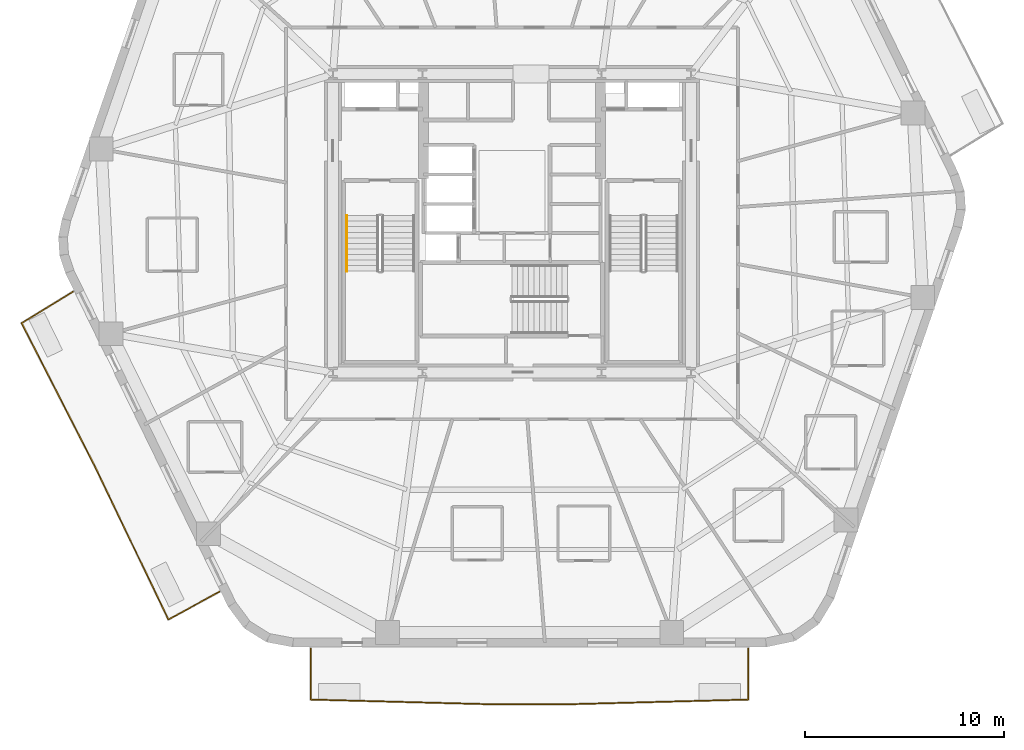
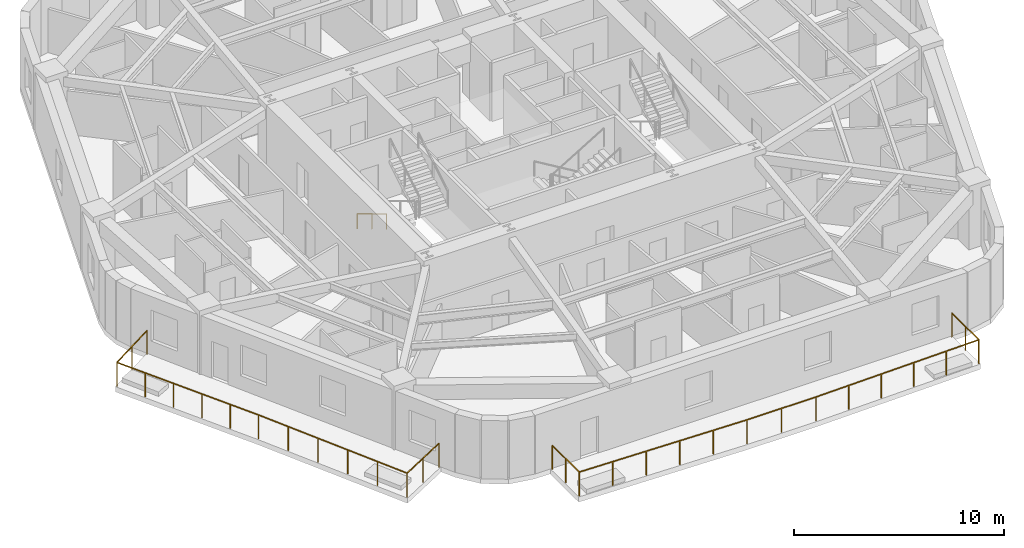
# One storey, part 8 of 10: 3 railings.
"""IFC4 building model written with IfcOpenShell, lengths in metres."""

from ifc_helpers import new_model, si_unit, direction, frame, origin, origin_2d, place, context, subcontext, project, spatial, rectangle, extrude, material, layer, layer_set, type_object, element, save


model = new_model("IFC4")

# Units and contexts
model_context = context("Model", 3, precision=1e-05, world=origin(), true_north=direction((0.0, 1.0)))
body_context = subcontext(model_context, "Body", "Model", "MODEL_VIEW")
ifc_project = project(units=[si_unit("LENGTHUNIT", "METRE"), si_unit("AREAUNIT", "SQUARE_METRE"), si_unit("VOLUMEUNIT", "CUBIC_METRE"), si_unit("PLANEANGLEUNIT", "RADIAN"), si_unit("MASSUNIT", "GRAM", prefix="KILO")], contexts=[model_context])

# Site, building, storey
site_placement = place(None, origin())
site = spatial("IfcSite", under=ifc_project, at=site_placement, CompositionType="ELEMENT")
building_placement = place(site_placement, origin())
building = spatial("IfcBuilding", under=site, at=building_placement, Name="Kilnhurst Terrace Hotel", CompositionType="ELEMENT")
storey_placement = place(building_placement, frame((0.0, 0.0, 91.39990234375)))
storey = spatial("IfcBuildingStorey", under=building, at=storey_placement, Name="L21", CompositionType="ELEMENT", Elevation=91.39990234375)

# Railings
ifc_material_1 = material(Name="Laminated SentryGlas and Stainless Steel AISI 316L Balustrade", Category="steel")
ifc_layer_1 = layer(ifc_material_1, 0.070068359375, Name="Laminated SentryGlas and Stainless Steel AISI 316L Balustrade")
ifc_layer_set_1 = layer_set([ifc_layer_1], Name="Laminated SentryGlas and Stainless Steel AISI 316L Balustrade")
railing_type_1 = type_object("IfcRailingType", Name="RLG-BAL-1420", PredefinedType="BALUSTRADE", material=ifc_layer_set_1)
railing_1_placement = place(storey_placement, frame((-14.722900390625, -18.529541015625, 0.0)))
element("IfcRailing", 1, at=railing_1_placement, inside=storey, type_object=railing_type_1, Name="L21 Exterior Terrace Guardrail BAL-L2A.1", PredefinedType="BALUSTRADE", context=body_context, shape_type="SweptSolid", body=[
    extrude(rectangle(XDim=0.048095703125, YDim=0.048095703125, at=origin_2d()), frame((0.0, 0.0, 1.39599609375), z_axis=(-0.878553207741, -0.477644492451, 0.0), x_axis=(0.477644492451, -0.878553207741, 0.0)), (0.0, 0.0, 1.0), 2.90478515625),
    extrude(rectangle(XDim=0.048095703125, YDim=0.048095703125, at=origin_2d()), frame((-2.552001953125, -1.387451171875, 1.39599609375), z_axis=(-0.43291229924, 0.901436043858, 0.0), x_axis=(-0.901436043858, -0.43291229924, 0.0)), (0.0, 0.0, 1.0), 8.583251953125),
    extrude(rectangle(XDim=0.048095703125, YDim=0.048095703125, at=origin_2d()), frame((-6.267822265625, 6.349853515625, 1.39599609375), z_axis=(-0.514495755428, 0.857492925713, 0.0), x_axis=(-0.857492925713, -0.514495755428, 0.0)), (0.0, 0.0, 1.0), 0.00146484375),
    extrude(rectangle(XDim=0.048095703125, YDim=0.048095703125, at=origin_2d()), frame((-6.2685546875, 6.35107421875, 1.39599609375), z_axis=(-0.455744437697, 0.890110671494, 0.0), x_axis=(-0.890110671494, -0.455744437697, 0.0)), (0.0, 0.0, 1.0), 8.039794921875),
    extrude(rectangle(XDim=0.048095703125, YDim=0.048095703125, at=origin_2d()), frame((-9.9326171875, 13.50732421875, 1.39599609375), z_axis=(0.85191630472, 0.523677963784, 0.0), x_axis=(-0.523677963784, 0.85191630472, 0.0)), (0.0, 0.0, 1.0), 3.0205078125),
    extrude(rectangle(XDim=0.0419921875, YDim=0.0419921875, at=origin_2d()), origin(), (0.0, 0.0, 1.0), 1.371826171875),
    extrude(rectangle(XDim=0.0419921875, YDim=0.0419921875, at=origin_2d()), frame((-1.27587890625, -0.69384765625, 0.0)), (0.0, 0.0, 1.0), 1.371826171875),
    extrude(rectangle(XDim=0.0419921875, YDim=0.0419921875, at=origin_2d()), frame((-2.552001953125, -1.387451171875, 0.0)), (0.0, 0.0, 1.0), 1.371826171875),
    extrude(rectangle(XDim=0.0419921875, YDim=0.0419921875, at=origin_2d()), frame((-3.295166015625, 0.159912109375, 0.0)), (0.0, 0.0, 1.0), 1.371826171875),
    extrude(rectangle(XDim=0.0419921875, YDim=0.0419921875, at=origin_2d()), frame((-4.038330078125, 1.70751953125, 0.0)), (0.0, 0.0, 1.0), 1.371826171875),
    extrude(rectangle(XDim=0.0419921875, YDim=0.0419921875, at=origin_2d()), frame((-4.781494140625, 3.2548828125, 0.0)), (0.0, 0.0, 1.0), 1.371826171875),
    extrude(rectangle(XDim=0.0419921875, YDim=0.0419921875, at=origin_2d()), frame((-5.524658203125, 4.802490234375, 0.0)), (0.0, 0.0, 1.0), 1.371826171875),
    extrude(rectangle(XDim=0.0419921875, YDim=0.0419921875, at=origin_2d()), frame((-6.267822265625, 6.349853515625, 0.0)), (0.0, 0.0, 1.0), 1.371826171875),
    extrude(rectangle(XDim=0.0419921875, YDim=0.0419921875, at=origin_2d()), frame((-6.2685546875, 6.35107421875, 0.0)), (0.0, 0.0, 1.0), 1.371826171875),
    extrude(rectangle(XDim=0.0419921875, YDim=0.0419921875, at=origin_2d()), frame((-7.00146484375, 7.7822265625, 0.0)), (0.0, 0.0, 1.0), 1.371826171875),
    extrude(rectangle(XDim=0.0419921875, YDim=0.0419921875, at=origin_2d()), frame((-7.734130859375, 9.213623046875, 0.0)), (0.0, 0.0, 1.0), 1.371826171875),
    extrude(rectangle(XDim=0.0419921875, YDim=0.0419921875, at=origin_2d()), frame((-8.467041015625, 10.644775390625, 0.0)), (0.0, 0.0, 1.0), 1.371826171875),
    extrude(rectangle(XDim=0.0419921875, YDim=0.0419921875, at=origin_2d()), frame((-9.19970703125, 12.076171875, 0.0)), (0.0, 0.0, 1.0), 1.371826171875),
    extrude(rectangle(XDim=0.0419921875, YDim=0.0419921875, at=origin_2d()), frame((-9.9326171875, 13.50732421875, 0.0)), (0.0, 0.0, 1.0), 1.371826171875),
    extrude(rectangle(XDim=0.0419921875, YDim=0.0419921875, at=origin_2d()), frame((-8.64599609375, 14.29833984375, 0.0)), (0.0, 0.0, 1.0), 1.371826171875),
    extrude(rectangle(XDim=0.0419921875, YDim=0.0419921875, at=origin_2d()), frame((-7.359375, 15.089111328125, 0.0)), (0.0, 0.0, 1.0), 1.371826171875),
])
railing_2_placement = place(storey_placement, frame((11.8837890625, -21.3798828125, 0.0)))
element("IfcRailing", 2, at=railing_2_placement, inside=storey, type_object=railing_type_1, Name="L21 Exterior Terrace Guardrail BAL-L2B.1", PredefinedType="BALUSTRADE", context=body_context, shape_type="SweptSolid", body=[
    extrude(rectangle(XDim=0.048095703125, YDim=0.048095703125, at=origin_2d()), frame((0.0, 0.0, 1.39599609375), z_axis=(0.0, -1.0, 0.0), x_axis=(1.0, 0.0, 0.0)), (0.0, 0.0, 1.0), 2.561767578125),
    extrude(rectangle(XDim=0.048095703125, YDim=0.048095703125, at=origin_2d()), frame((0.0, -2.561767578125, 1.39599609375), z_axis=(-0.999657105501, -0.026185328367, 0.0), x_axis=(0.026185328367, -0.999657105501, 0.0)), (0.0, 0.0, 1.0), 9.099853515625),
    extrude(rectangle(XDim=0.048095703125, YDim=0.048095703125, at=origin_2d()), frame((-9.0966796875, -2.800048828125, 1.39599609375), z_axis=(-1.0, 0.0, 0.0), x_axis=(0.0, -1.0, 0.0)), (0.0, 0.0, 1.0), 3.8134765625),
    extrude(rectangle(XDim=0.048095703125, YDim=0.048095703125, at=origin_2d()), frame((-12.91015625, -2.800048828125, 1.39599609375), z_axis=(-0.999657105501, 0.026185328367, 0.0), x_axis=(-0.026185328367, -0.999657105501, 0.0)), (0.0, 0.0, 1.0), 9.099853515625),
    extrude(rectangle(XDim=0.048095703125, YDim=0.048095703125, at=origin_2d()), frame((-22.0068359375, -2.561767578125, 1.39599609375), z_axis=(0.0, 1.0, 0.0), x_axis=(-1.0, 0.0, 0.0)), (0.0, 0.0, 1.0), 2.561767578125),
    extrude(rectangle(XDim=0.0419921875, YDim=0.0419921875, at=origin_2d()), origin(), (0.0, 0.0, 1.0), 1.371826171875),
    extrude(rectangle(XDim=0.0419921875, YDim=0.0419921875, at=origin_2d()), frame((0.0, -1.28076171875, 0.0)), (0.0, 0.0, 1.0), 1.371826171875),
    extrude(rectangle(XDim=0.0419921875, YDim=0.0419921875, at=origin_2d()), frame((0.0, -2.561767578125, 0.0)), (0.0, 0.0, 1.0), 1.371826171875),
    extrude(rectangle(XDim=0.0419921875, YDim=0.0419921875, at=origin_2d()), frame((-1.8193359375, -2.609375, 0.0)), (0.0, 0.0, 1.0), 1.371826171875),
    extrude(rectangle(XDim=0.0419921875, YDim=0.0419921875, at=origin_2d()), frame((-3.638671875, -2.656982421875, 0.0)), (0.0, 0.0, 1.0), 1.371826171875),
    extrude(rectangle(XDim=0.0419921875, YDim=0.0419921875, at=origin_2d()), frame((-5.4580078125, -2.704833984375, 0.0)), (0.0, 0.0, 1.0), 1.371826171875),
    extrude(rectangle(XDim=0.0419921875, YDim=0.0419921875, at=origin_2d()), frame((-7.27734375, -2.75244140625, 0.0)), (0.0, 0.0, 1.0), 1.371826171875),
    extrude(rectangle(XDim=0.0419921875, YDim=0.0419921875, at=origin_2d()), frame((-9.0966796875, -2.800048828125, 0.0)), (0.0, 0.0, 1.0), 1.371826171875),
    extrude(rectangle(XDim=0.0419921875, YDim=0.0419921875, at=origin_2d()), frame((-11.00341796875, -2.800048828125, 0.0)), (0.0, 0.0, 1.0), 1.371826171875),
    extrude(rectangle(XDim=0.0419921875, YDim=0.0419921875, at=origin_2d()), frame((-12.91015625, -2.800048828125, 0.0)), (0.0, 0.0, 1.0), 1.371826171875),
    extrude(rectangle(XDim=0.0419921875, YDim=0.0419921875, at=origin_2d()), frame((-14.7294921875, -2.75244140625, 0.0)), (0.0, 0.0, 1.0), 1.371826171875),
    extrude(rectangle(XDim=0.0419921875, YDim=0.0419921875, at=origin_2d()), frame((-16.548828125, -2.704833984375, 0.0)), (0.0, 0.0, 1.0), 1.371826171875),
    extrude(rectangle(XDim=0.0419921875, YDim=0.0419921875, at=origin_2d()), frame((-18.3681640625, -2.656982421875, 0.0)), (0.0, 0.0, 1.0), 1.371826171875),
    extrude(rectangle(XDim=0.0419921875, YDim=0.0419921875, at=origin_2d()), frame((-20.1875, -2.609375, 0.0)), (0.0, 0.0, 1.0), 1.371826171875),
    extrude(rectangle(XDim=0.0419921875, YDim=0.0419921875, at=origin_2d()), frame((-22.0068359375, -2.561767578125, 0.0)), (0.0, 0.0, 1.0), 1.371826171875),
    extrude(rectangle(XDim=0.0419921875, YDim=0.0419921875, at=origin_2d()), frame((-22.0068359375, -1.28076171875, 0.0)), (0.0, 0.0, 1.0), 1.371826171875),
    extrude(rectangle(XDim=0.0419921875, YDim=0.0419921875, at=origin_2d()), frame((-22.0068359375, 0.0, 0.0)), (0.0, 0.0, 1.0), 1.371826171875),
])
ifc_material_2 = material(Name="Brushed Stainless Steel AISI 304", Category="steel")
ifc_layer_2 = layer(ifc_material_2, 0.048095703125, Name="Brushed Stainless Steel AISI 304")
ifc_layer_set_2 = layer_set([ifc_layer_2], Name="Brushed Stainless Steel AISI 304")
railing_type_2 = type_object("IfcRailingType", Name="RLG-ST-HRL-900", PredefinedType="HANDRAIL", material=ifc_layer_set_2)
railing_3_placement = place(storey_placement, frame((-8.300048828125, 0.389892578125, 0.168212890625)))
element("IfcRailing", 3, at=railing_3_placement, inside=storey, type_object=railing_type_2, Name="L21 ST-1 stair handrail 1", PredefinedType="HANDRAIL", context=body_context, shape_type="SweptSolid", body=[
    extrude(rectangle(XDim=0.048095703125, YDim=0.048095703125, at=origin_2d()), frame((0.0, 0.0, 0.8759765625), z_axis=(0.0, -0.857222391501, 0.514946377315), x_axis=(1.0, 0.0, 0.0)), (0.0, 0.0, 1.0), 3.26611328125),
    extrude(rectangle(XDim=0.0419921875, YDim=0.0419921875, at=origin_2d()), origin(), (0.0, 0.0, 1.0), 0.851806640625),
    extrude(rectangle(XDim=0.0419921875, YDim=0.0419921875, at=origin_2d()), frame((0.0, -1.39990234375, 0.8408203125)), (0.0, 0.0, 1.0), 0.851806640625),
    extrude(rectangle(XDim=0.0419921875, YDim=0.0419921875, at=origin_2d()), frame((0.0, -2.7998046875, 1.681884765625)), (0.0, 0.0, 1.0), 0.851806640625),
])

save(model, "model.ifc")
